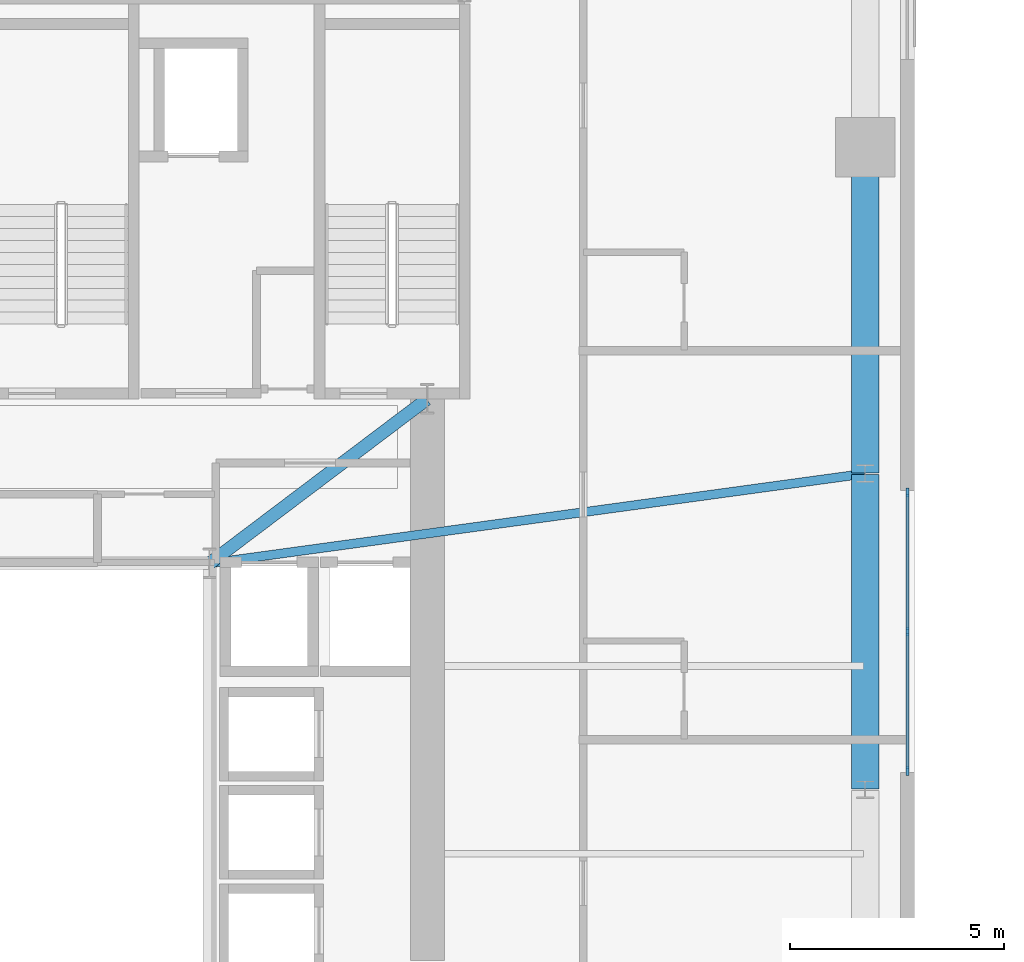
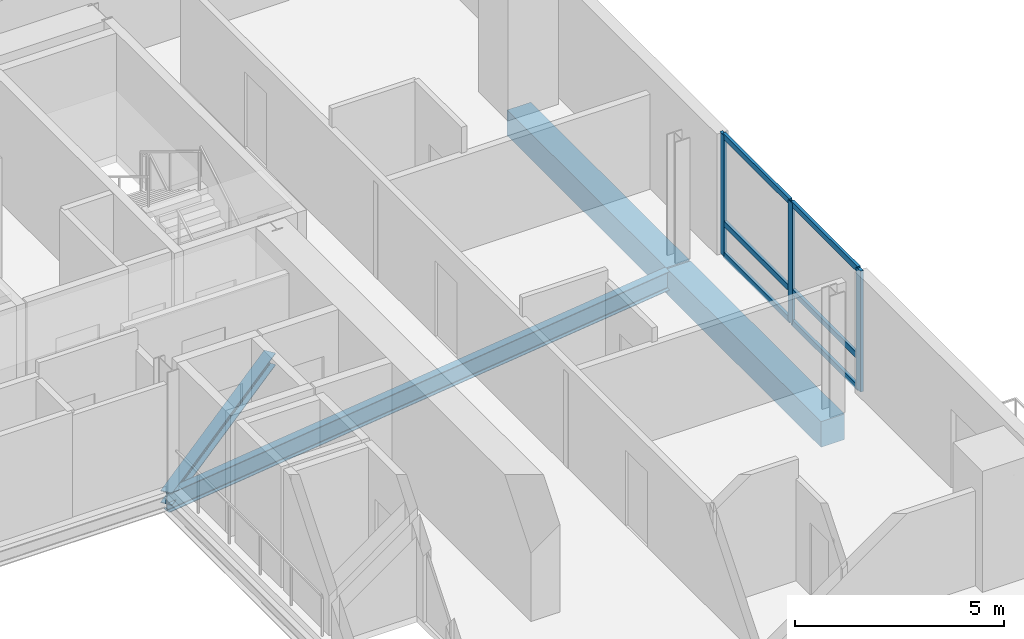
# One storey, part 5 of 16: 9 members, 4 beams, 1 element without a shape of its own.
"""IFC4 building model written with IfcOpenShell, lengths in metres."""

from ifc_helpers import new_model, si_unit, direction, frame, origin, origin_2d, place, context, subcontext, project, spatial, rectangle, i_section, extrude, source, transform, mapped, material, material_profile, profile_set, type_object, element, aggregate, save


model = new_model("IFC4")

# Units and contexts
model_context = context("Model", 3, precision=1e-05, world=origin(), true_north=direction((0.0, 1.0)))
body_context = subcontext(model_context, "Body", "Model", "MODEL_VIEW")
ifc_project = project(units=[si_unit("LENGTHUNIT", "METRE"), si_unit("AREAUNIT", "SQUARE_METRE"), si_unit("VOLUMEUNIT", "CUBIC_METRE"), si_unit("PLANEANGLEUNIT", "RADIAN"), si_unit("MASSUNIT", "GRAM", prefix="KILO")], contexts=[model_context])

# Site, building, storey
site_placement = place(None, origin())
site = spatial("IfcSite", under=ifc_project, at=site_placement, CompositionType="ELEMENT")
building_placement = place(site_placement, origin())
building = spatial("IfcBuilding", under=site, at=building_placement, Name="Vardaveli Station Tower", CompositionType="ELEMENT")
storey_placement = place(building_placement, frame((0.0, 0.0, 188.550048828125)))
storey = spatial("IfcBuildingStorey", under=building, at=storey_placement, Name="L48", CompositionType="ELEMENT", Elevation=188.550048828125)

# Beams
ifc_material_1 = material(Name="Structural steel S355J2", Category="steel")
ifc_material_profile_1 = material_profile(ifc_material_1, i_section(OverallWidth=0.300048828125, OverallDepth=0.360107421875, WebThickness=0.012451171875, FlangeThickness=0.0224609375, FilletRadius=0.027099609375, at=origin_2d()), Name="HEB 360")
ifc_profile_set_1 = profile_set([ifc_material_profile_1], Name="Structural steel S355J2")
beam_type_1 = type_object("IfcBeamType", Name="BM-HEB360", PredefinedType="BEAM", material=ifc_profile_set_1)
shared_shape_1 = source(origin(), body_context, "Body", "SweptSolid", [
    extrude(i_section(OverallWidth=0.300048828125, OverallDepth=0.360107421875, WebThickness=0.012451171875, FlangeThickness=0.0224609375, FilletRadius=0.027099609375, at=origin_2d()), origin(), (0.0, 0.0, 1.0), 6.35009765625),
])
beam_1_placement = place(storey_placement, frame((41.416015625, 26.81201171875, -0.400146484375), z_axis=(0.798118337722, 0.602500721154, 0.0), x_axis=(-0.602500721154, 0.798118337722, 0.0)))
element("IfcBeam", 1, at=beam_1_placement, inside=storey, type_object=beam_type_1, Name="CBM-L48-02", PredefinedType="BEAM", context=body_context, shape_type="MappedRepresentation", body=[
    mapped(shared_shape_1, transform((0.0, 0.0, 0.0), scale=1.0)),
])
ifc_material_2 = material(Name="Precast concrete C45/55", Category="concrete")
ifc_material_profile_2 = material_profile(ifc_material_2, rectangle(XDim=0.64990234375, YDim=0.75, at=origin_2d()), Name="LPB 650x750")
ifc_profile_set_2 = profile_set([ifc_material_profile_2], Name="Precast concrete C45/55")
beam_type_2 = type_object("IfcBeamType", Name="BM-LPB-750", PredefinedType="BEAM", material=ifc_profile_set_2)
shared_shape_2 = source(origin(), body_context, "Body", "SweptSolid", [
    extrude(rectangle(XDim=0.64990234375, YDim=0.75, at=origin_2d()), origin(), (0.0, 0.0, 1.0), 7.60009765625),
])
beam_2_placement = place(storey_placement, frame((56.75, 28.919921875, -0.594970703125), z_axis=(0.0, 1.0, 0.0), x_axis=(-1.0, 0.0, 0.0)))
element("IfcBeam", 2, at=beam_2_placement, inside=storey, type_object=beam_type_2, Name="RBM-L48-09", PredefinedType="BEAM", context=body_context, shape_type="MappedRepresentation", body=[
    mapped(shared_shape_2, transform((0.0, 0.0, 0.0), scale=1.0)),
])
shared_shape_3 = source(origin(), body_context, "Body", "SweptSolid", [
    extrude(rectangle(XDim=0.64990234375, YDim=0.75, at=origin_2d()), origin(), (0.0, 0.0, 1.0), 7.35986328125),
])
beam_3_placement = place(storey_placement, frame((56.75, 21.52001953125, -0.594970703125), z_axis=(0.0, 1.0, 0.0), x_axis=(-1.0, 0.0, 0.0)))
element("IfcBeam", 3, at=beam_3_placement, inside=storey, type_object=beam_type_2, Name="RBM-L48-08", PredefinedType="BEAM", context=body_context, shape_type="MappedRepresentation", body=[
    mapped(shared_shape_3, transform((0.0, 0.0, 0.0), scale=1.0)),
])
ifc_material_profile_3 = material_profile(ifc_material_1, i_section(OverallWidth=0.2099609375, OverallDepth=0.550048828125, WebThickness=0.010986328125, FlangeThickness=0.01708984375, FilletRadius=0.02392578125, at=origin_2d()), Name="IPE 550")
ifc_profile_set_3 = profile_set([ifc_material_profile_3], Name="Structural steel S355J2")
beam_type_3 = type_object("IfcBeamType", Name="BM-IPE550", PredefinedType="BEAM", material=ifc_profile_set_3)
shared_shape_4 = source(origin(), body_context, "Body", "SweptSolid", [
    extrude(i_section(OverallWidth=0.2099609375, OverallDepth=0.550048828125, WebThickness=0.010986328125, FlangeThickness=0.01708984375, FilletRadius=0.02392578125, at=origin_2d()), origin(), (0.0, 0.0, 1.0), 15.452880859375),
])
beam_4_placement = place(storey_placement, frame((56.730224609375, 28.897216796875, -0.4951171875), z_axis=(-0.99077191151, -0.135539733521, 0.0), x_axis=(0.135539733521, -0.99077191151, 0.0)))
element("IfcBeam", 4, at=beam_4_placement, inside=storey, type_object=beam_type_3, Name="GBM-L48-07", PredefinedType="BEAM", context=body_context, shape_type="MappedRepresentation", body=[
    mapped(shared_shape_4, transform((0.0, 0.0, 0.0), scale=1.0)),
])

# Curtain wall, members
ifc_material_3 = material(Name="Travertine stone and solar-control glass", Category="masonry")
curtain_wall_type = type_object("IfcCurtainWallType", Name="CW-SYS-5", PredefinedType="NOTDEFINED", material=ifc_material_3)
curtain_wall_placement = place(storey_placement, origin())
curtain_wall = element("IfcCurtainWall", 5, at=curtain_wall_placement, inside=storey, type_object=curtain_wall_type, Name="CW-L48-E", PredefinedType="NOTDEFINED")
ifc_material_4 = material(Name="Anodised aluminium alloy 6063-T6", Category="aluminium")
ifc_material_profile_4 = material_profile(ifc_material_4, rectangle(XDim=0.080078125, YDim=0.1650390625, at=origin_2d()), Name="CWT 80x165")
ifc_profile_set_4 = profile_set([ifc_material_profile_4], Name="Anodised aluminium alloy 6063-T6")
member_type_1 = type_object("IfcMemberType", Name="CW-SYS-5-TRAN", PredefinedType="NOTDEFINED", material=ifc_profile_set_4)
shared_shape_5 = source(origin(), body_context, "Body", "SweptSolid", [
    extrude(rectangle(XDim=0.080078125, YDim=0.1650390625, at=origin_2d()), origin(), (0.0, 0.0, 1.0), 3.179931640625),
])
member_1_placement = place(storey_placement, frame((57.739990234375, 21.97998046875, 0.0400390625), z_axis=(0.0, 1.0, 0.0), x_axis=(-1.0, 0.0, 0.0)))
member_1 = element("IfcMember", 6, at=member_1_placement, type_object=member_type_1, Name="CW-5 transom 1.1", ObjectType="TRANSOM", PredefinedType="USERDEFINED", context=body_context, shape_type="MappedRepresentation", body=[
    mapped(shared_shape_5, transform((0.0, 0.0, 0.0), scale=1.0)),
])
member_2_placement = place(storey_placement, frame((57.739990234375, 21.97998046875, 0.949951171875), z_axis=(0.0, 1.0, 0.0), x_axis=(-1.0, 0.0, 0.0)))
member_2 = element("IfcMember", 7, at=member_2_placement, type_object=member_type_1, Name="CW-5 transom 1.2", ObjectType="TRANSOM", PredefinedType="USERDEFINED", context=body_context, shape_type="MappedRepresentation", body=[
    mapped(shared_shape_5, transform((0.0, 0.0, 0.0), scale=1.0)),
])
member_3_placement = place(storey_placement, frame((57.739990234375, 21.97998046875, 3.489990234375), z_axis=(0.0, 1.0, 0.0), x_axis=(-1.0, 0.0, 0.0)))
member_3 = element("IfcMember", 8, at=member_3_placement, type_object=member_type_1, Name="CW-5 transom 1.3", ObjectType="TRANSOM", PredefinedType="USERDEFINED", context=body_context, shape_type="MappedRepresentation", body=[
    mapped(shared_shape_5, transform((0.0, 0.0, 0.0), scale=1.0)),
])
member_4_placement = place(storey_placement, frame((57.739990234375, 25.239990234375, 0.0400390625), z_axis=(0.0, 1.0, 0.0), x_axis=(-1.0, 0.0, 0.0)))
member_4 = element("IfcMember", 9, at=member_4_placement, type_object=member_type_1, Name="CW-5 transom 2.1", ObjectType="TRANSOM", PredefinedType="USERDEFINED", context=body_context, shape_type="MappedRepresentation", body=[
    mapped(shared_shape_5, transform((0.0, 0.0, 0.0), scale=1.0)),
])
member_5_placement = place(storey_placement, frame((57.739990234375, 25.239990234375, 0.949951171875), z_axis=(0.0, 1.0, 0.0), x_axis=(-1.0, 0.0, 0.0)))
member_5 = element("IfcMember", 10, at=member_5_placement, type_object=member_type_1, Name="CW-5 transom 2.2", ObjectType="TRANSOM", PredefinedType="USERDEFINED", context=body_context, shape_type="MappedRepresentation", body=[
    mapped(shared_shape_5, transform((0.0, 0.0, 0.0), scale=1.0)),
])
member_6_placement = place(storey_placement, frame((57.739990234375, 25.239990234375, 3.489990234375), z_axis=(0.0, 1.0, 0.0), x_axis=(-1.0, 0.0, 0.0)))
member_6 = element("IfcMember", 11, at=member_6_placement, type_object=member_type_1, Name="CW-5 transom 2.3", ObjectType="TRANSOM", PredefinedType="USERDEFINED", context=body_context, shape_type="MappedRepresentation", body=[
    mapped(shared_shape_5, transform((0.0, 0.0, 0.0), scale=1.0)),
])
ifc_material_profile_5 = material_profile(ifc_material_4, rectangle(XDim=0.080078125, YDim=0.205078125, at=origin_2d()), Name="CWM 80x205")
ifc_profile_set_5 = profile_set([ifc_material_profile_5], Name="Anodised aluminium alloy 6063-T6")
member_type_2 = type_object("IfcMemberType", Name="CW-SYS-5-MULL", PredefinedType="MULLION", material=ifc_profile_set_5)
shared_shape_6 = source(origin(), body_context, "Body", "SweptSolid", [
    extrude(rectangle(XDim=0.080078125, YDim=0.205078125, at=origin_2d()), origin(), (0.0, 0.0, 1.0), 3.530029296875),
])
member_7_placement = place(storey_placement, frame((57.739990234375, 21.93994140625, 0.0), z_axis=(0.0, 0.0, 1.0), x_axis=(-1.0, 0.0, 0.0)))
member_7 = element("IfcMember", 12, at=member_7_placement, type_object=member_type_2, Name="CW-5 mullion 1", PredefinedType="MULLION", context=body_context, shape_type="MappedRepresentation", body=[
    mapped(shared_shape_6, transform((0.0, 0.0, 0.0), scale=1.0)),
])
member_8_placement = place(storey_placement, frame((57.739990234375, 25.199951171875, 0.0), z_axis=(0.0, 0.0, 1.0), x_axis=(-1.0, 0.0, 0.0)))
member_8 = element("IfcMember", 13, at=member_8_placement, type_object=member_type_2, Name="CW-5 mullion 2", PredefinedType="MULLION", context=body_context, shape_type="MappedRepresentation", body=[
    mapped(shared_shape_6, transform((0.0, 0.0, 0.0), scale=1.0)),
])
member_9_placement = place(storey_placement, frame((57.739990234375, 28.4599609375, 0.0), z_axis=(0.0, 0.0, 1.0), x_axis=(-1.0, 0.0, 0.0)))
member_9 = element("IfcMember", 14, at=member_9_placement, type_object=member_type_2, Name="CW-5 mullion 3", PredefinedType="MULLION", context=body_context, shape_type="MappedRepresentation", body=[
    mapped(shared_shape_6, transform((0.0, 0.0, 0.0), scale=1.0)),
])
aggregate(curtain_wall, [member_7, member_8, member_9, member_1, member_2, member_3, member_4, member_5, member_6])

save(model, "model.ifc")
